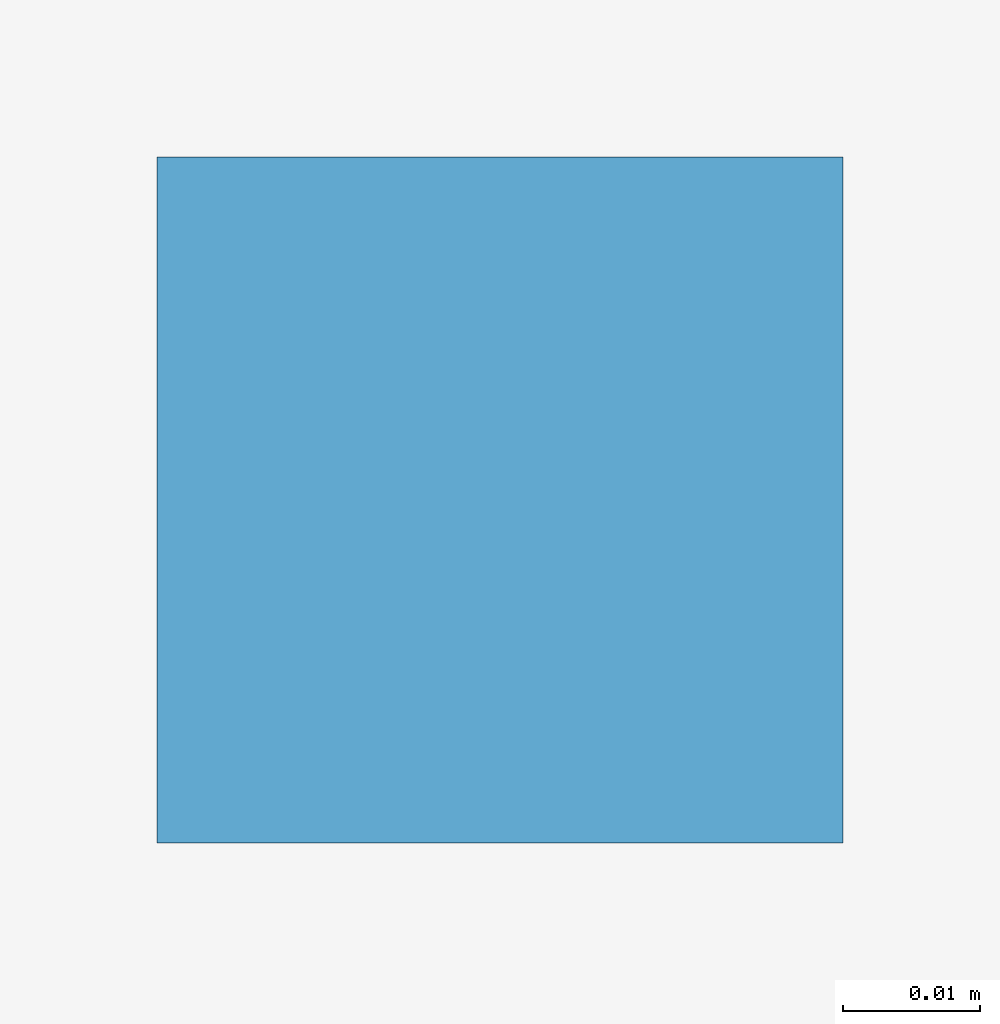
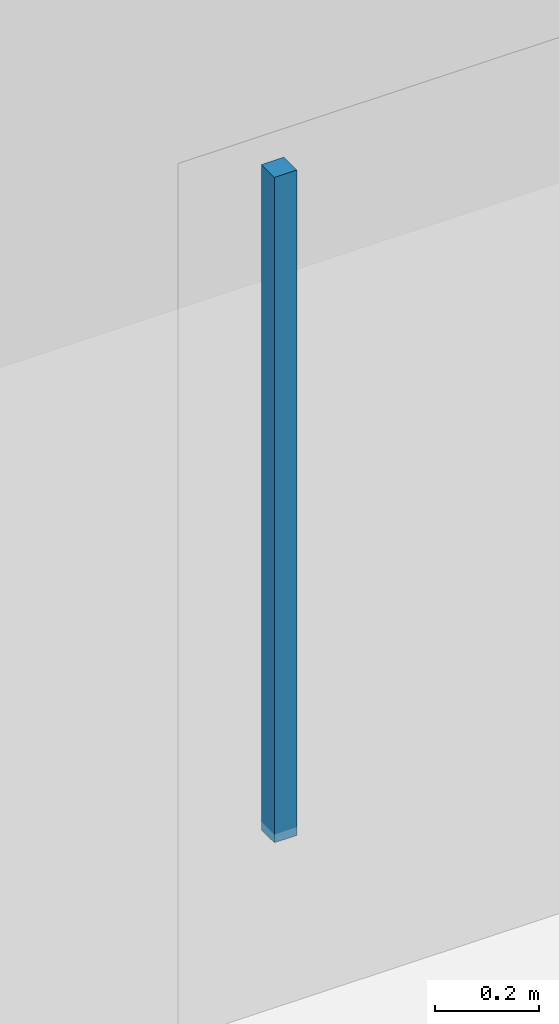
# One storey, part 5 of 6: 1 discrete accessory.
"""IFC4 building model written with IfcOpenShell, lengths in metres."""

from ifc_helpers import new_model, si_unit, direction, frame, origin, origin_2d, place, context, subcontext, project, spatial, rectangle, extrude, material, type_object, element, save


model = new_model("IFC4")

# Units and contexts
model_context = context("Model", 3, precision=1e-05, world=origin(), true_north=direction((0.0, 1.0)))
body_context = subcontext(model_context, "Body", "Model", "MODEL_VIEW")
ifc_project = project(units=[si_unit("LENGTHUNIT", "METRE"), si_unit("AREAUNIT", "SQUARE_METRE"), si_unit("VOLUMEUNIT", "CUBIC_METRE"), si_unit("PLANEANGLEUNIT", "RADIAN"), si_unit("MASSUNIT", "GRAM", prefix="KILO")], contexts=[model_context])

# Site, building, storey
site_placement = place(None, origin())
site = spatial("IfcSite", under=ifc_project, at=site_placement, CompositionType="ELEMENT")
building_placement = place(site_placement, origin())
building = spatial("IfcBuilding", under=site, at=building_placement, Name="Kazehaya Institute of Natural Sciences", CompositionType="ELEMENT")
storey_placement = place(building_placement, frame((0.0, 0.0, 41.93994140625)))
storey = spatial("IfcBuildingStorey", under=building, at=storey_placement, Name="L09", CompositionType="ELEMENT", Elevation=41.93994140625)

# Discrete accessory
ifc_material = material(Name="Structural steel SN490B", Category="steel")
discrete_accessory_type = type_object("IfcDiscreteAccessoryType", Name="ACC-CLG-HGR", PredefinedType="BRACKET", material=ifc_material)
discrete_accessory_placement = place(storey_placement, frame((99.5, 16.97509765625, 2.672607421875), z_axis=(0.0, 0.0, 1.0), x_axis=(1.0, 0.0, 0.0)))
element("IfcDiscreteAccessory", 1, at=discrete_accessory_placement, inside=storey, type_object=discrete_accessory_type, Name="L09 ceiling suspension hanger 73", PredefinedType="BRACKET", context=body_context, shape_type="SweptSolid", body=[
    extrude(rectangle(XDim=0.050048828125, YDim=0.050048828125, at=origin_2d()), origin(), (0.0, 0.0, 1.0), 1.5673828125),
])

save(model, "model.ifc")
